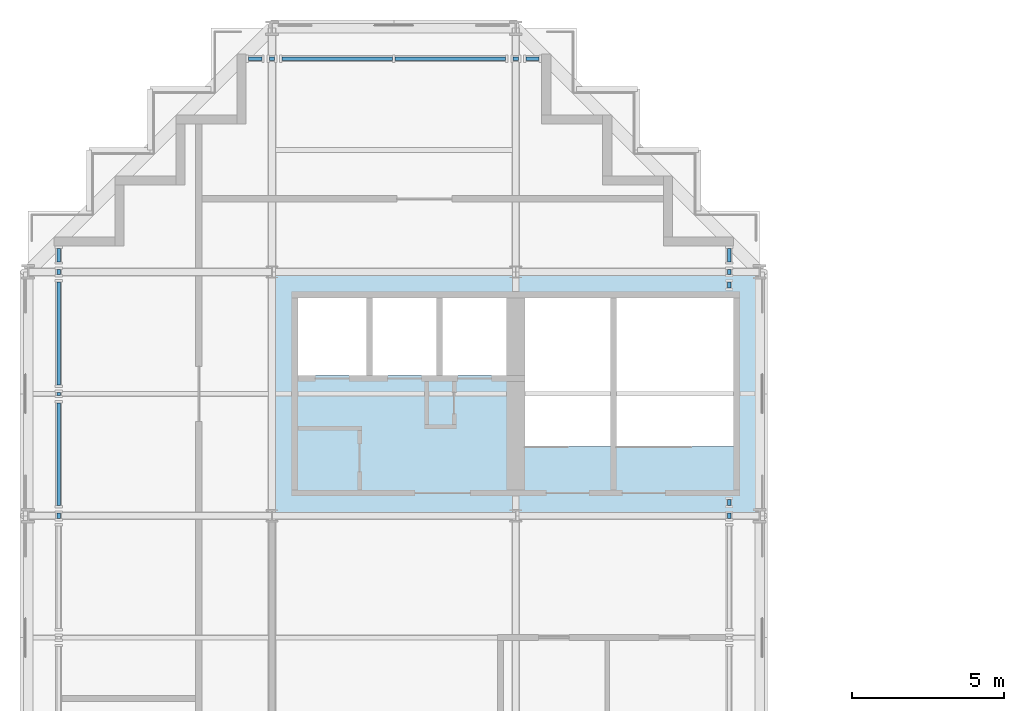
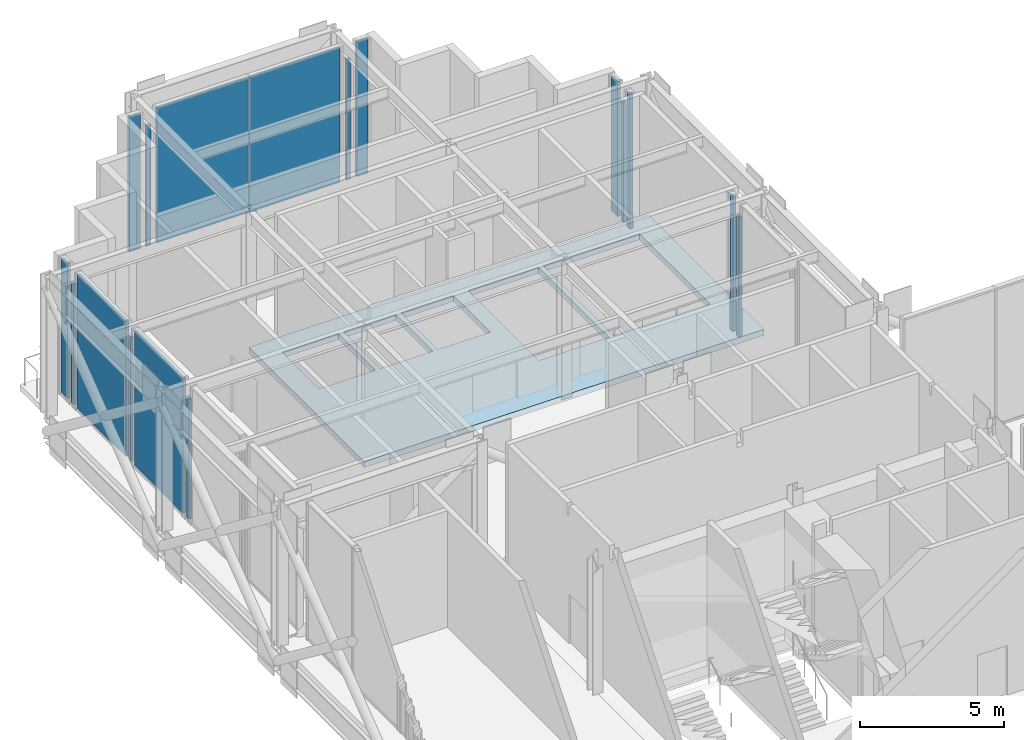
# One storey, part 15 of 23: 17 plates, 1 slab, 16 elements without a shape of their own.
"""IFC4 building model written with IfcOpenShell, lengths in metres."""

from ifc_helpers import new_model, si_unit, direction, frame, origin, origin_2d, place, context, subcontext, project, spatial, polyline, rectangle, outline, extrude, material, layer, layer_set, type_object, element, aggregate, save


model = new_model("IFC4")

# Units and contexts
model_context = context("Model", 3, precision=1e-05, world=origin(), true_north=direction((0.0, 1.0)))
body_context = subcontext(model_context, "Body", "Model", "MODEL_VIEW")
ifc_project = project(units=[si_unit("LENGTHUNIT", "METRE"), si_unit("AREAUNIT", "SQUARE_METRE"), si_unit("VOLUMEUNIT", "CUBIC_METRE"), si_unit("PLANEANGLEUNIT", "RADIAN"), si_unit("MASSUNIT", "GRAM", prefix="KILO")], contexts=[model_context])

# Site, building, storey
site_placement = place(None, origin())
site = spatial("IfcSite", under=ifc_project, at=site_placement, CompositionType="ELEMENT")
building_placement = place(site_placement, origin())
building = spatial("IfcBuilding", under=site, at=building_placement, Name="Immortelle Media Tower", CompositionType="ELEMENT")
storey_placement = place(building_placement, frame((0.0, 0.0, 183.0)))
storey = spatial("IfcBuildingStorey", under=building, at=storey_placement, Name="L38", CompositionType="ELEMENT", Elevation=183.0)

# Slab
ifc_material_1 = material(Name="Concrete C50/60", Category="concrete")
ifc_layer_1 = layer(ifc_material_1, 0.25)
ifc_layer_set_1 = layer_set([ifc_layer_1], Name="Concrete C50/60")
slab_type = type_object("IfcSlabType", Name="Core floor slab 250", PredefinedType="FLOOR", material=ifc_layer_set_1)
slab_placement = place(storey_placement, frame((0.0, 0.0, -0.25)))
element("IfcSlab", 1, at=slab_placement, inside=storey, type_object=slab_type, Name="Core floor NW", PredefinedType="FLOOR", context=body_context, shape_type="SweptSolid", body=[
    extrude(outline(polyline([(8.0, 32.0), (24.0, 32.0), (24.0, 40.0), (8.0, 40.0), (8.0, 32.0)]), holes=[polyline([(8.85009765625, 36.60009765625), (11.10009765625, 36.60009765625), (11.10009765625, 39.14990234375), (8.85009765625, 39.14990234375), (8.85009765625, 36.60009765625)]), polyline([(11.300048828125, 36.60009765625), (13.39990234375, 36.60009765625), (13.39990234375, 39.14990234375), (11.300048828125, 39.14990234375), (11.300048828125, 36.60009765625)]), polyline([(13.60009765625, 36.60009765625), (15.699951171875, 36.60009765625), (15.699951171875, 39.14990234375), (13.60009765625, 39.14990234375), (13.60009765625, 36.60009765625)]), polyline([(16.300048828125, 34.27001953125), (19.10009765625, 34.27001953125), (19.10009765625, 39.14990234375), (16.300048828125, 39.14990234375), (16.300048828125, 34.27001953125)]), polyline([(19.300048828125, 34.27001953125), (23.14990234375, 34.27001953125), (23.14990234375, 39.14990234375), (19.300048828125, 39.14990234375), (19.300048828125, 34.27001953125)])]), origin(), (0.0, 0.0, 1.0), 0.25),
])

# Curtain wall, plate
ifc_material_2 = material(Name="Aluminium curtain wall system", Category="aluminium")
curtain_wall_type = type_object("IfcCurtainWallType", Name="Plant louvre wall curtain wall", PredefinedType="NOTDEFINED", material=ifc_material_2)
curtain_wall_1_placement = place(storey_placement, origin())
curtain_wall_1 = element("IfcCurtainWall", 2, at=curtain_wall_1_placement, inside=storey, type_object=curtain_wall_type, Name="Plant louvre wall L38 E 22-5", PredefinedType="NOTDEFINED")
ifc_material_3 = material(Name="Pale aluminium louvre panel", Category="aluminium")
ifc_layer_2 = layer(ifc_material_3, 0.1201171875)
ifc_layer_set_2 = layer_set([ifc_layer_2], Name="Pale aluminium louvre panel")
plate_type = type_object("IfcPlateType", Name="Dust and storm rated louvre panel 120 mm", PredefinedType="CURTAIN_PANEL", material=ifc_layer_set_2)
plate_1_placement = place(storey_placement, frame((23.0, 32.0, 0.080078125), z_axis=(0.0, 0.0, 1.0), x_axis=(0.0, 1.0, 0.0)))
plate_1 = element("IfcPlate", 3, at=plate_1_placement, type_object=plate_type, Name="CW6 panel 1.1", PredefinedType="CURTAIN_PANEL", context=body_context, shape_type="SweptSolid", body=[
    extrude(rectangle(XDim=0.16796875, YDim=0.1201171875, at=origin_2d()), origin(), (0.0, 0.0, 1.0), 5.08740234375),
])
aggregate(curtain_wall_1, [plate_1])

curtain_wall_2_placement = place(storey_placement, origin())
curtain_wall_2 = element("IfcCurtainWall", 4, at=curtain_wall_2_placement, inside=storey, type_object=curtain_wall_type, Name="Plant louvre wall L38 E 22-6", PredefinedType="NOTDEFINED")
plate_2_placement = place(storey_placement, frame((23.0, 32.43212890625, 0.080078125), z_axis=(0.0, 0.0, 1.0), x_axis=(0.0, 1.0, 0.0)))
plate_2 = element("IfcPlate", 5, at=plate_2_placement, type_object=plate_type, Name="CW6 panel 1.1", PredefinedType="CURTAIN_PANEL", context=body_context, shape_type="SweptSolid", body=[
    extrude(rectangle(XDim=0.196533203125, YDim=0.1201171875, at=origin_2d()), origin(), (0.0, 0.0, 1.0), 5.689453125),
])
aggregate(curtain_wall_2, [plate_2])

curtain_wall_3_placement = place(storey_placement, origin())
curtain_wall_3 = element("IfcCurtainWall", 6, at=curtain_wall_3_placement, inside=storey, type_object=curtain_wall_type, Name="Plant louvre wall L38 E 22-7", PredefinedType="NOTDEFINED")
plate_3_placement = place(storey_placement, frame((23.0, 39.56787109375, 0.080078125), z_axis=(0.0, 0.0, 1.0), x_axis=(0.0, 1.0, 0.0)))
plate_3 = element("IfcPlate", 7, at=plate_3_placement, type_object=plate_type, Name="CW6 panel 1.1", PredefinedType="CURTAIN_PANEL", context=body_context, shape_type="SweptSolid", body=[
    extrude(rectangle(XDim=0.196533203125, YDim=0.1201171875, at=origin_2d()), origin(), (0.0, 0.0, 1.0), 5.689453125),
])
aggregate(curtain_wall_3, [plate_3])

curtain_wall_4_placement = place(storey_placement, origin())
curtain_wall_4 = element("IfcCurtainWall", 8, at=curtain_wall_4_placement, inside=storey, type_object=curtain_wall_type, Name="Plant louvre wall L38 E 22-8", PredefinedType="NOTDEFINED")
plate_4_placement = place(storey_placement, frame((23.0, 40.0, 0.080078125), z_axis=(0.0, 0.0, 1.0), x_axis=(0.0, 1.0, 0.0)))
plate_4 = element("IfcPlate", 9, at=plate_4_placement, type_object=plate_type, Name="CW6 panel 1.1", PredefinedType="CURTAIN_PANEL", context=body_context, shape_type="SweptSolid", body=[
    extrude(rectangle(XDim=0.16796875, YDim=0.1201171875, at=origin_2d()), origin(), (0.0, 0.0, 1.0), 5.08740234375),
])
aggregate(curtain_wall_4, [plate_4])

curtain_wall_5_placement = place(storey_placement, origin())
curtain_wall_5 = element("IfcCurtainWall", 10, at=curtain_wall_5_placement, inside=storey, type_object=curtain_wall_type, Name="Plant louvre wall L38 E 22-9", PredefinedType="NOTDEFINED")
plate_5_placement = place(storey_placement, frame((23.0, 40.552001953125, 0.080078125), z_axis=(0.0, 0.0, 1.0), x_axis=(0.0, 1.0, 0.0)))
plate_5 = element("IfcPlate", 11, at=plate_5_placement, type_object=plate_type, Name="CW6 panel 1.1", PredefinedType="CURTAIN_PANEL", context=body_context, shape_type="SweptSolid", body=[
    extrude(rectangle(XDim=0.43603515625, YDim=0.1201171875, at=origin_2d()), origin(), (0.0, 0.0, 1.0), 5.689453125),
])
aggregate(curtain_wall_5, [plate_5])

curtain_wall_6_placement = place(storey_placement, origin())
curtain_wall_6 = element("IfcCurtainWall", 12, at=curtain_wall_6_placement, inside=storey, type_object=curtain_wall_type, Name="Plant louvre wall L38 N 29-1", PredefinedType="NOTDEFINED")
plate_6_placement = place(storey_placement, frame((16.552001953125, 47.0, 0.080078125), z_axis=(0.0, 0.0, 1.0), x_axis=(-1.0, 0.0, 0.0)))
plate_6 = element("IfcPlate", 13, at=plate_6_placement, type_object=plate_type, Name="CW6 panel 1.1", PredefinedType="CURTAIN_PANEL", context=body_context, shape_type="SweptSolid", body=[
    extrude(rectangle(XDim=0.43603515625, YDim=0.1201171875, at=origin_2d()), origin(), (0.0, 0.0, 1.0), 5.689453125),
])
aggregate(curtain_wall_6, [plate_6])

curtain_wall_7_placement = place(storey_placement, origin())
curtain_wall_7 = element("IfcCurtainWall", 14, at=curtain_wall_7_placement, inside=storey, type_object=curtain_wall_type, Name="Plant louvre wall L38 N 29-2", PredefinedType="NOTDEFINED")
plate_7_placement = place(storey_placement, frame((16.0, 47.0, 0.080078125), z_axis=(0.0, 0.0, 1.0), x_axis=(-1.0, 0.0, 0.0)))
plate_7 = element("IfcPlate", 15, at=plate_7_placement, type_object=plate_type, Name="CW6 panel 1.1", PredefinedType="CURTAIN_PANEL", context=body_context, shape_type="SweptSolid", body=[
    extrude(rectangle(XDim=0.16796875, YDim=0.1201171875, at=origin_2d()), origin(), (0.0, 0.0, 1.0), 5.08740234375),
])
aggregate(curtain_wall_7, [plate_7])

# Curtain wall, plates
curtain_wall_8_placement = place(storey_placement, origin())
curtain_wall_8 = element("IfcCurtainWall", 16, at=curtain_wall_8_placement, inside=storey, type_object=curtain_wall_type, Name="Plant louvre wall L38 N 29-3", PredefinedType="NOTDEFINED")
plate_8_placement = place(storey_placement, frame((13.85302734375, 47.0, 0.080078125), z_axis=(0.0, 0.0, 1.0), x_axis=(-1.0, 0.0, 0.0)))
plate_8 = element("IfcPlate", 17, at=plate_8_placement, type_object=plate_type, Name="CW6 panel 1.1", PredefinedType="CURTAIN_PANEL", context=body_context, shape_type="SweptSolid", body=[
    extrude(rectangle(XDim=3.6259765625, YDim=0.1201171875, at=origin_2d()), origin(), (0.0, 0.0, 1.0), 5.689453125),
])
plate_9_placement = place(storey_placement, frame((10.14697265625, 47.0, 0.080078125), z_axis=(0.0, 0.0, 1.0), x_axis=(-1.0, 0.0, 0.0)))
plate_9 = element("IfcPlate", 18, at=plate_9_placement, type_object=plate_type, Name="CW6 panel 2.1", PredefinedType="CURTAIN_PANEL", context=body_context, shape_type="SweptSolid", body=[
    extrude(rectangle(XDim=3.6259765625, YDim=0.1201171875, at=origin_2d()), origin(), (0.0, 0.0, 1.0), 5.689453125),
])
aggregate(curtain_wall_8, [plate_8, plate_9])

# Curtain wall, plate
curtain_wall_9_placement = place(storey_placement, origin())
curtain_wall_9 = element("IfcCurtainWall", 19, at=curtain_wall_9_placement, inside=storey, type_object=curtain_wall_type, Name="Plant louvre wall L38 N 29-4", PredefinedType="NOTDEFINED")
plate_10_placement = place(storey_placement, frame((8.0, 47.0, 0.080078125), z_axis=(0.0, 0.0, 1.0), x_axis=(-1.0, 0.0, 0.0)))
plate_10 = element("IfcPlate", 20, at=plate_10_placement, type_object=plate_type, Name="CW6 panel 1.1", PredefinedType="CURTAIN_PANEL", context=body_context, shape_type="SweptSolid", body=[
    extrude(rectangle(XDim=0.16796875, YDim=0.1201171875, at=origin_2d()), origin(), (0.0, 0.0, 1.0), 5.08740234375),
])
aggregate(curtain_wall_9, [plate_10])

curtain_wall_10_placement = place(storey_placement, origin())
curtain_wall_10 = element("IfcCurtainWall", 21, at=curtain_wall_10_placement, inside=storey, type_object=curtain_wall_type, Name="Plant louvre wall L38 N 29-5", PredefinedType="NOTDEFINED")
plate_11_placement = place(storey_placement, frame((7.447998046875, 47.0, 0.080078125), z_axis=(0.0, 0.0, 1.0), x_axis=(-1.0, 0.0, 0.0)))
plate_11 = element("IfcPlate", 22, at=plate_11_placement, type_object=plate_type, Name="CW6 panel 1.1", PredefinedType="CURTAIN_PANEL", context=body_context, shape_type="SweptSolid", body=[
    extrude(rectangle(XDim=0.43603515625, YDim=0.1201171875, at=origin_2d()), origin(), (0.0, 0.0, 1.0), 5.689453125),
])
aggregate(curtain_wall_10, [plate_11])

curtain_wall_11_placement = place(storey_placement, origin())
curtain_wall_11 = element("IfcCurtainWall", 23, at=curtain_wall_11_placement, inside=storey, type_object=curtain_wall_type, Name="Plant louvre wall L38 W 36-1", PredefinedType="NOTDEFINED")
plate_12_placement = place(storey_placement, frame((1.0, 40.552001953125, 0.080078125), z_axis=(0.0, 0.0, 1.0), x_axis=(0.0, -1.0, 0.0)))
plate_12 = element("IfcPlate", 24, at=plate_12_placement, type_object=plate_type, Name="CW6 panel 1.1", PredefinedType="CURTAIN_PANEL", context=body_context, shape_type="SweptSolid", body=[
    extrude(rectangle(XDim=0.43603515625, YDim=0.1201171875, at=origin_2d()), origin(), (0.0, 0.0, 1.0), 5.689453125),
])
aggregate(curtain_wall_11, [plate_12])

curtain_wall_12_placement = place(storey_placement, origin())
curtain_wall_12 = element("IfcCurtainWall", 25, at=curtain_wall_12_placement, inside=storey, type_object=curtain_wall_type, Name="Plant louvre wall L38 W 36-2", PredefinedType="NOTDEFINED")
plate_13_placement = place(storey_placement, frame((1.0, 40.0, 0.080078125), z_axis=(0.0, 0.0, 1.0), x_axis=(0.0, -1.0, 0.0)))
plate_13 = element("IfcPlate", 26, at=plate_13_placement, type_object=plate_type, Name="CW6 panel 1.1", PredefinedType="CURTAIN_PANEL", context=body_context, shape_type="SweptSolid", body=[
    extrude(rectangle(XDim=0.16796875, YDim=0.1201171875, at=origin_2d()), origin(), (0.0, 0.0, 1.0), 5.08740234375),
])
aggregate(curtain_wall_12, [plate_13])

curtain_wall_13_placement = place(storey_placement, origin())
curtain_wall_13 = element("IfcCurtainWall", 27, at=curtain_wall_13_placement, inside=storey, type_object=curtain_wall_type, Name="Plant louvre wall L38 W 36-3", PredefinedType="NOTDEFINED")
plate_14_placement = place(storey_placement, frame((1.0, 37.981201171875, 0.080078125), z_axis=(0.0, 0.0, 1.0), x_axis=(0.0, -1.0, 0.0)))
plate_14 = element("IfcPlate", 28, at=plate_14_placement, type_object=plate_type, Name="CW6 panel 1.1", PredefinedType="CURTAIN_PANEL", context=body_context, shape_type="SweptSolid", body=[
    extrude(rectangle(XDim=3.369384765625, YDim=0.1201171875, at=origin_2d()), origin(), (0.0, 0.0, 1.0), 5.689453125),
])
aggregate(curtain_wall_13, [plate_14])

curtain_wall_14_placement = place(storey_placement, origin())
curtain_wall_14 = element("IfcCurtainWall", 29, at=curtain_wall_14_placement, inside=storey, type_object=curtain_wall_type, Name="Plant louvre wall L38 W 36-4", PredefinedType="NOTDEFINED")
plate_15_placement = place(storey_placement, frame((1.0, 36.0, 0.080078125), z_axis=(0.0, 0.0, 1.0), x_axis=(0.0, -1.0, 0.0)))
plate_15 = element("IfcPlate", 30, at=plate_15_placement, type_object=plate_type, Name="CW6 panel 1.1", PredefinedType="CURTAIN_PANEL", context=body_context, shape_type="SweptSolid", body=[
    extrude(rectangle(XDim=0.093017578125, YDim=0.1201171875, at=origin_2d()), origin(), (0.0, 0.0, 1.0), 5.234619140625),
])
aggregate(curtain_wall_14, [plate_15])

curtain_wall_15_placement = place(storey_placement, origin())
curtain_wall_15 = element("IfcCurtainWall", 31, at=curtain_wall_15_placement, inside=storey, type_object=curtain_wall_type, Name="Plant louvre wall L38 W 36-5", PredefinedType="NOTDEFINED")
plate_16_placement = place(storey_placement, frame((1.0, 34.018798828125, 0.080078125), z_axis=(0.0, 0.0, 1.0), x_axis=(0.0, -1.0, 0.0)))
plate_16 = element("IfcPlate", 32, at=plate_16_placement, type_object=plate_type, Name="CW6 panel 1.1", PredefinedType="CURTAIN_PANEL", context=body_context, shape_type="SweptSolid", body=[
    extrude(rectangle(XDim=3.369384765625, YDim=0.1201171875, at=origin_2d()), origin(), (0.0, 0.0, 1.0), 5.689453125),
])
aggregate(curtain_wall_15, [plate_16])

curtain_wall_16_placement = place(storey_placement, origin())
curtain_wall_16 = element("IfcCurtainWall", 33, at=curtain_wall_16_placement, inside=storey, type_object=curtain_wall_type, Name="Plant louvre wall L38 W 36-6", PredefinedType="NOTDEFINED")
plate_17_placement = place(storey_placement, frame((1.0, 32.0, 0.080078125), z_axis=(0.0, 0.0, 1.0), x_axis=(0.0, -1.0, 0.0)))
plate_17 = element("IfcPlate", 34, at=plate_17_placement, type_object=plate_type, Name="CW6 panel 1.1", PredefinedType="CURTAIN_PANEL", context=body_context, shape_type="SweptSolid", body=[
    extrude(rectangle(XDim=0.16796875, YDim=0.1201171875, at=origin_2d()), origin(), (0.0, 0.0, 1.0), 5.08740234375),
])
aggregate(curtain_wall_16, [plate_17])

save(model, "model.ifc")
